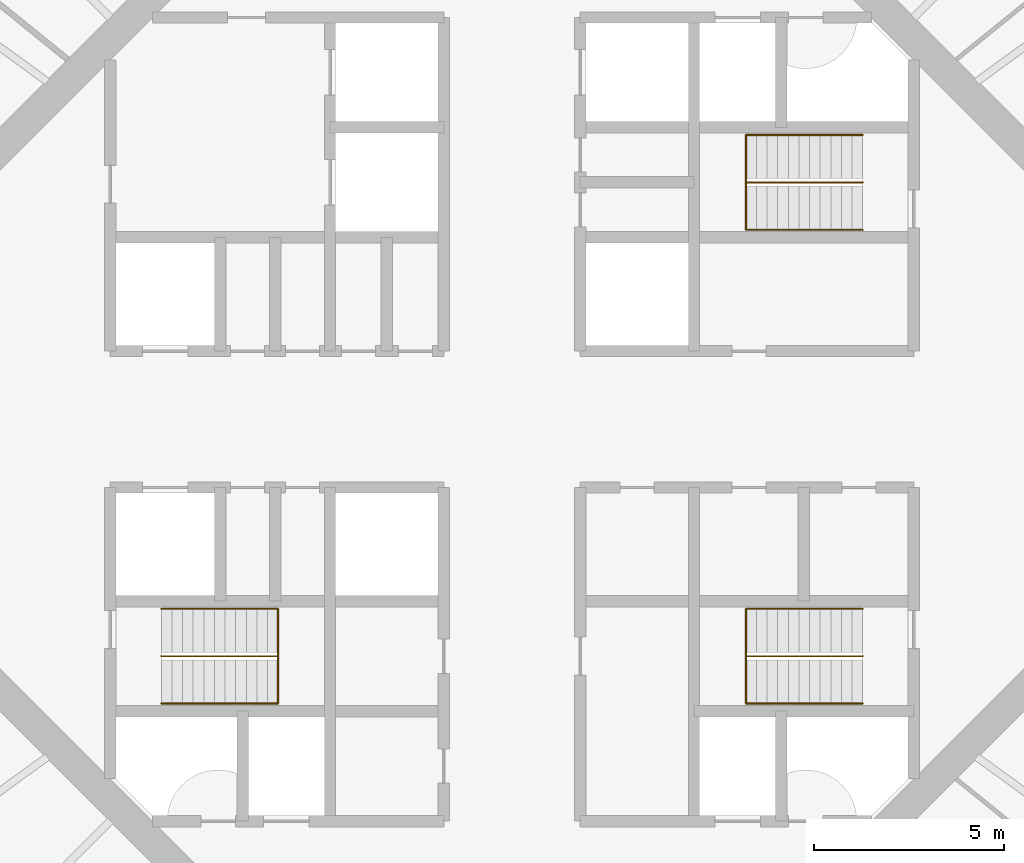
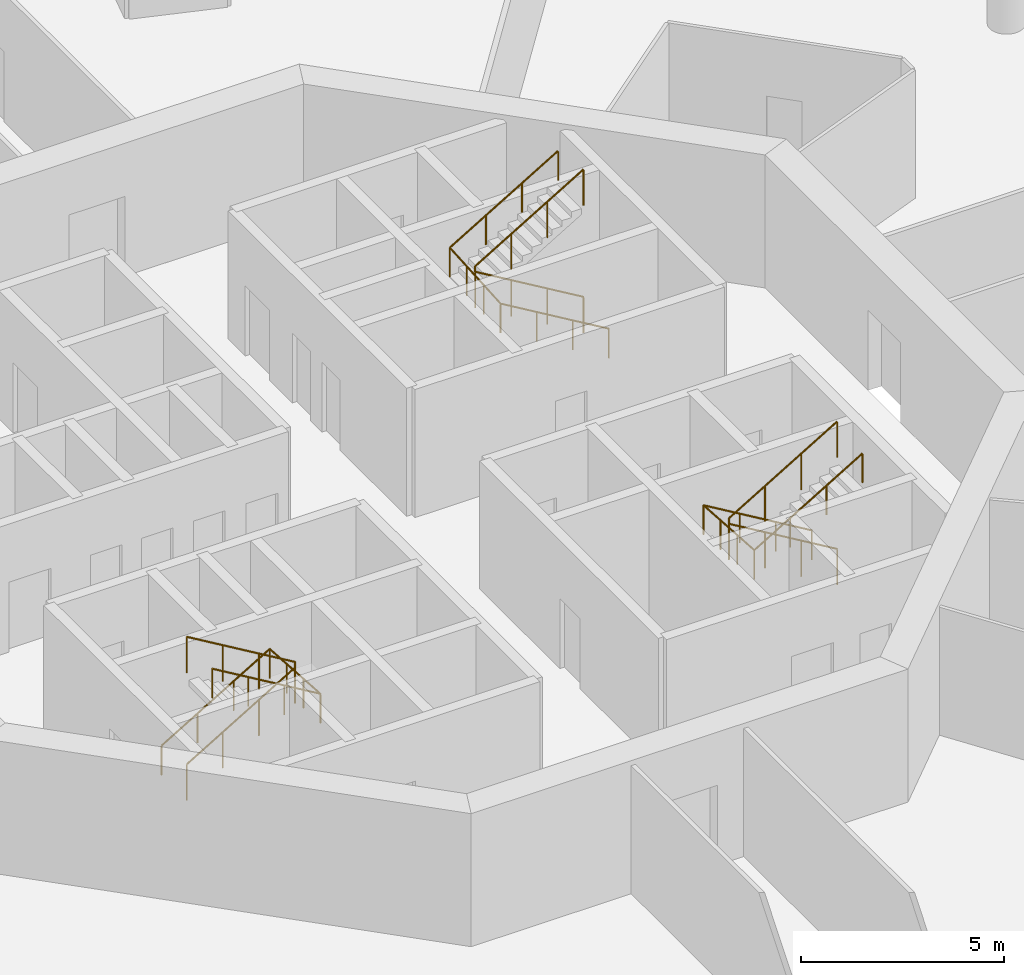
# One storey, part 13 of 13: 6 railings.
"""IFC4 building model written with IfcOpenShell, lengths in metres."""

from ifc_helpers import new_model, si_unit, direction, frame, origin, origin_2d, place, context, subcontext, project, spatial, circle, extrude, material, type_object, element, save


model = new_model("IFC4")

# Units and contexts
model_context = context("Model", 3, precision=1e-05, world=origin(), true_north=direction((0.0, 1.0)))
body_context = subcontext(model_context, "Body", "Model", "MODEL_VIEW")
ifc_project = project(units=[si_unit("LENGTHUNIT", "METRE"), si_unit("AREAUNIT", "SQUARE_METRE"), si_unit("VOLUMEUNIT", "CUBIC_METRE"), si_unit("PLANEANGLEUNIT", "RADIAN"), si_unit("MASSUNIT", "GRAM", prefix="KILO")], contexts=[model_context])

# Site, building, storey
site_placement = place(None, origin())
site = spatial("IfcSite", under=ifc_project, at=site_placement, CompositionType="ELEMENT")
building_placement = place(site_placement, origin())
building = spatial("IfcBuilding", under=site, at=building_placement, Name="Entoto Ring Tower", CompositionType="ELEMENT")
storey_placement = place(building_placement, frame((0.0, 0.0, 274.0)))
storey = spatial("IfcBuildingStorey", under=building, at=storey_placement, Name="L62", CompositionType="ELEMENT", Elevation=274.0)

# Railings
ifc_material_1 = material(Name="Steel S275", Category="steel")
railing_type_1 = type_object("IfcRailingType", Name="Stair guard 1100 mm steel", PredefinedType="GUARDRAIL", material=ifc_material_1)
railing_1_placement = place(storey_placement, frame((99.25, 86.25, 0.166748046875)))
element("IfcRailing", 1, at=railing_1_placement, inside=storey, type_object=railing_type_1, Name="Guard ST1", PredefinedType="GUARDRAIL", context=body_context, shape_type="SweptSolid", body=[
    extrude(circle(Radius=0.02392578125, at=origin_2d()), frame((0.0, 0.0, 1.076171875), z_axis=(-0.859308565015, 0.0, 0.511457515432), x_axis=(0.0, -1.0, 0.0)), (0.0, 0.0, 1.0), 3.58447265625),
    extrude(circle(Radius=0.02392578125, at=origin_2d()), frame((-3.080078125, 0.0, 2.9091796875), z_axis=(0.0, 0.0, 1.0), x_axis=(1.0, 0.0, 0.0)), (0.0, 0.0, 1.0), 0.166748046875),
    extrude(circle(Radius=0.02392578125, at=origin_2d()), frame((-3.080078125, 0.0, 3.076171875), z_axis=(0.859308565015, 0.0, 0.511457515432), x_axis=(0.0, 1.0, 0.0)), (0.0, 0.0, 1.0), 3.58447265625),
    extrude(circle(Radius=0.02099609375, at=origin_2d()), origin(), (0.0, 0.0, 1.0), 1.052001953125),
    extrude(circle(Radius=0.02099609375, at=origin_2d()), frame((-1.026611328125, 0.0, 0.611083984375)), (0.0, 0.0, 1.0), 1.052001953125),
    extrude(circle(Radius=0.02099609375, at=origin_2d()), frame((-2.053466796875, 0.0, 1.22216796875)), (0.0, 0.0, 1.0), 1.052001953125),
    extrude(circle(Radius=0.02099609375, at=origin_2d()), frame((-3.080078125, 0.0, 1.833251953125)), (0.0, 0.0, 1.0), 1.052001953125),
    extrude(circle(Radius=0.02099609375, at=origin_2d()), frame((-3.080078125, 0.0, 2.0)), (0.0, 0.0, 1.0), 1.052001953125),
    extrude(circle(Radius=0.02099609375, at=origin_2d()), frame((-2.053466796875, 0.0, 2.611083984375)), (0.0, 0.0, 1.0), 1.052001953125),
    extrude(circle(Radius=0.02099609375, at=origin_2d()), frame((-1.026611328125, 0.0, 3.22216796875)), (0.0, 0.0, 1.0), 1.052001953125),
    extrude(circle(Radius=0.02099609375, at=origin_2d()), frame((0.0, 0.0, 3.833251953125)), (0.0, 0.0, 1.0), 1.052001953125),
])
railing_2_placement = place(storey_placement, frame((80.75, 73.75, 0.166748046875)))
element("IfcRailing", 2, at=railing_2_placement, inside=storey, type_object=railing_type_1, Name="Guard ST2", PredefinedType="GUARDRAIL", context=body_context, shape_type="SweptSolid", body=[
    extrude(circle(Radius=0.02392578125, at=origin_2d()), frame((0.0, 0.0, 1.076171875), z_axis=(0.859308565015, 0.0, 0.511457515432), x_axis=(0.0, 1.0, 0.0)), (0.0, 0.0, 1.0), 3.58447265625),
    extrude(circle(Radius=0.02392578125, at=origin_2d()), frame((3.080078125, 0.0, 2.9091796875), z_axis=(0.0, 0.0, 1.0), x_axis=(1.0, 0.0, 0.0)), (0.0, 0.0, 1.0), 0.166748046875),
    extrude(circle(Radius=0.02392578125, at=origin_2d()), frame((3.080078125, 0.0, 3.076171875), z_axis=(-0.859308565015, 0.0, 0.511457515432), x_axis=(0.0, -1.0, 0.0)), (0.0, 0.0, 1.0), 3.58447265625),
    extrude(circle(Radius=0.02099609375, at=origin_2d()), origin(), (0.0, 0.0, 1.0), 1.052001953125),
    extrude(circle(Radius=0.02099609375, at=origin_2d()), frame((1.026611328125, 0.0, 0.611083984375)), (0.0, 0.0, 1.0), 1.052001953125),
    extrude(circle(Radius=0.02099609375, at=origin_2d()), frame((2.053466796875, 0.0, 1.22216796875)), (0.0, 0.0, 1.0), 1.052001953125),
    extrude(circle(Radius=0.02099609375, at=origin_2d()), frame((3.080078125, 0.0, 1.833251953125)), (0.0, 0.0, 1.0), 1.052001953125),
    extrude(circle(Radius=0.02099609375, at=origin_2d()), frame((3.080078125, 0.0, 2.0)), (0.0, 0.0, 1.0), 1.052001953125),
    extrude(circle(Radius=0.02099609375, at=origin_2d()), frame((2.053466796875, 0.0, 2.611083984375)), (0.0, 0.0, 1.0), 1.052001953125),
    extrude(circle(Radius=0.02099609375, at=origin_2d()), frame((1.026611328125, 0.0, 3.22216796875)), (0.0, 0.0, 1.0), 1.052001953125),
    extrude(circle(Radius=0.02099609375, at=origin_2d()), frame((0.0, 0.0, 3.833251953125)), (0.0, 0.0, 1.0), 1.052001953125),
])
railing_3_placement = place(storey_placement, frame((99.25, 73.75, 0.166748046875)))
element("IfcRailing", 3, at=railing_3_placement, inside=storey, type_object=railing_type_1, Name="Guard ST3", PredefinedType="GUARDRAIL", context=body_context, shape_type="SweptSolid", body=[
    extrude(circle(Radius=0.02392578125, at=origin_2d()), frame((0.0, 0.0, 1.076171875), z_axis=(-0.859308565015, 0.0, 0.511457515432), x_axis=(0.0, -1.0, 0.0)), (0.0, 0.0, 1.0), 3.58447265625),
    extrude(circle(Radius=0.02392578125, at=origin_2d()), frame((-3.080078125, 0.0, 2.9091796875), z_axis=(0.0, 0.0, 1.0), x_axis=(1.0, 0.0, 0.0)), (0.0, 0.0, 1.0), 0.166748046875),
    extrude(circle(Radius=0.02392578125, at=origin_2d()), frame((-3.080078125, 0.0, 3.076171875), z_axis=(0.859308565015, 0.0, 0.511457515432), x_axis=(0.0, 1.0, 0.0)), (0.0, 0.0, 1.0), 3.58447265625),
    extrude(circle(Radius=0.02099609375, at=origin_2d()), origin(), (0.0, 0.0, 1.0), 1.052001953125),
    extrude(circle(Radius=0.02099609375, at=origin_2d()), frame((-1.026611328125, 0.0, 0.611083984375)), (0.0, 0.0, 1.0), 1.052001953125),
    extrude(circle(Radius=0.02099609375, at=origin_2d()), frame((-2.053466796875, 0.0, 1.22216796875)), (0.0, 0.0, 1.0), 1.052001953125),
    extrude(circle(Radius=0.02099609375, at=origin_2d()), frame((-3.080078125, 0.0, 1.833251953125)), (0.0, 0.0, 1.0), 1.052001953125),
    extrude(circle(Radius=0.02099609375, at=origin_2d()), frame((-3.080078125, 0.0, 2.0)), (0.0, 0.0, 1.0), 1.052001953125),
    extrude(circle(Radius=0.02099609375, at=origin_2d()), frame((-2.053466796875, 0.0, 2.611083984375)), (0.0, 0.0, 1.0), 1.052001953125),
    extrude(circle(Radius=0.02099609375, at=origin_2d()), frame((-1.026611328125, 0.0, 3.22216796875)), (0.0, 0.0, 1.0), 1.052001953125),
    extrude(circle(Radius=0.02099609375, at=origin_2d()), frame((0.0, 0.0, 3.833251953125)), (0.0, 0.0, 1.0), 1.052001953125),
])
ifc_material_2 = material(Name="Steel S275", Category="steel")
railing_type_2 = type_object("IfcRailingType", Name="Stair handrail 900 mm steel", PredefinedType="HANDRAIL", material=ifc_material_2)
railing_4_placement = place(storey_placement, frame((99.25, 85.0, 0.166748046875)))
element("IfcRailing", 4, at=railing_4_placement, inside=storey, type_object=railing_type_2, Name="Handrail ST1", PredefinedType="HANDRAIL", context=body_context, shape_type="SweptSolid", body=[
    extrude(circle(Radius=0.02392578125, at=origin_2d()), frame((0.0, 0.0, 0.8759765625), z_axis=(-0.859308565015, 0.0, 0.511457515432), x_axis=(0.0, -1.0, 0.0)), (0.0, 0.0, 1.0), 3.58447265625),
    extrude(circle(Radius=0.02392578125, at=origin_2d()), frame((-3.080078125, 0.0, 2.708984375), z_axis=(0.0, 0.997783001586, 0.066551346688), x_axis=(-1.0, 0.0, 0.0)), (0.0, 0.0, 1.0), 2.505615234375),
    extrude(circle(Radius=0.02392578125, at=origin_2d()), frame((-3.080078125, 2.5, 2.8759765625), z_axis=(0.859308565015, 0.0, 0.511457515432), x_axis=(0.0, 1.0, 0.0)), (0.0, 0.0, 1.0), 3.58447265625),
    extrude(circle(Radius=0.02099609375, at=origin_2d()), origin(), (0.0, 0.0, 1.0), 0.851806640625),
    extrude(circle(Radius=0.02099609375, at=origin_2d()), frame((-1.026611328125, 0.0, 0.611083984375)), (0.0, 0.0, 1.0), 0.851806640625),
    extrude(circle(Radius=0.02099609375, at=origin_2d()), frame((-2.053466796875, 0.0, 1.22216796875)), (0.0, 0.0, 1.0), 0.851806640625),
    extrude(circle(Radius=0.02099609375, at=origin_2d()), frame((-3.080078125, 0.0, 1.833251953125)), (0.0, 0.0, 1.0), 0.851806640625),
    extrude(circle(Radius=0.02099609375, at=origin_2d()), frame((-3.080078125, 0.833251953125, 1.888916015625)), (0.0, 0.0, 1.0), 0.851806640625),
    extrude(circle(Radius=0.02099609375, at=origin_2d()), frame((-3.080078125, 1.666748046875, 1.9443359375)), (0.0, 0.0, 1.0), 0.851806640625),
    extrude(circle(Radius=0.02099609375, at=origin_2d()), frame((-3.080078125, 2.5, 2.0)), (0.0, 0.0, 1.0), 0.851806640625),
    extrude(circle(Radius=0.02099609375, at=origin_2d()), frame((-2.053466796875, 2.5, 2.611083984375)), (0.0, 0.0, 1.0), 0.851806640625),
    extrude(circle(Radius=0.02099609375, at=origin_2d()), frame((-1.026611328125, 2.5, 3.22216796875)), (0.0, 0.0, 1.0), 0.851806640625),
    extrude(circle(Radius=0.02099609375, at=origin_2d()), frame((0.0, 2.5, 3.833251953125)), (0.0, 0.0, 1.0), 0.851806640625),
])
railing_5_placement = place(storey_placement, frame((80.75, 75.0, 0.166748046875)))
element("IfcRailing", 5, at=railing_5_placement, inside=storey, type_object=railing_type_2, Name="Handrail ST2", PredefinedType="HANDRAIL", context=body_context, shape_type="SweptSolid", body=[
    extrude(circle(Radius=0.02392578125, at=origin_2d()), frame((0.0, 0.0, 0.8759765625), z_axis=(0.859308565015, 0.0, 0.511457515432), x_axis=(0.0, 1.0, 0.0)), (0.0, 0.0, 1.0), 3.58447265625),
    extrude(circle(Radius=0.02392578125, at=origin_2d()), frame((3.080078125, 0.0, 2.708984375), z_axis=(0.0, -0.997783001586, 0.066551346688), x_axis=(1.0, 0.0, 0.0)), (0.0, 0.0, 1.0), 2.505615234375),
    extrude(circle(Radius=0.02392578125, at=origin_2d()), frame((3.080078125, -2.5, 2.8759765625), z_axis=(-0.859308565015, 0.0, 0.511457515432), x_axis=(0.0, -1.0, 0.0)), (0.0, 0.0, 1.0), 3.58447265625),
    extrude(circle(Radius=0.02099609375, at=origin_2d()), origin(), (0.0, 0.0, 1.0), 0.851806640625),
    extrude(circle(Radius=0.02099609375, at=origin_2d()), frame((1.026611328125, 0.0, 0.611083984375)), (0.0, 0.0, 1.0), 0.851806640625),
    extrude(circle(Radius=0.02099609375, at=origin_2d()), frame((2.053466796875, 0.0, 1.22216796875)), (0.0, 0.0, 1.0), 0.851806640625),
    extrude(circle(Radius=0.02099609375, at=origin_2d()), frame((3.080078125, 0.0, 1.833251953125)), (0.0, 0.0, 1.0), 0.851806640625),
    extrude(circle(Radius=0.02099609375, at=origin_2d()), frame((3.080078125, -0.833251953125, 1.888916015625)), (0.0, 0.0, 1.0), 0.851806640625),
    extrude(circle(Radius=0.02099609375, at=origin_2d()), frame((3.080078125, -1.666748046875, 1.9443359375)), (0.0, 0.0, 1.0), 0.851806640625),
    extrude(circle(Radius=0.02099609375, at=origin_2d()), frame((3.080078125, -2.5, 2.0)), (0.0, 0.0, 1.0), 0.851806640625),
    extrude(circle(Radius=0.02099609375, at=origin_2d()), frame((2.053466796875, -2.5, 2.611083984375)), (0.0, 0.0, 1.0), 0.851806640625),
    extrude(circle(Radius=0.02099609375, at=origin_2d()), frame((1.026611328125, -2.5, 3.22216796875)), (0.0, 0.0, 1.0), 0.851806640625),
    extrude(circle(Radius=0.02099609375, at=origin_2d()), frame((0.0, -2.5, 3.833251953125)), (0.0, 0.0, 1.0), 0.851806640625),
])
railing_6_placement = place(storey_placement, frame((99.25, 75.0, 0.166748046875)))
element("IfcRailing", 6, at=railing_6_placement, inside=storey, type_object=railing_type_2, Name="Handrail ST3", PredefinedType="HANDRAIL", context=body_context, shape_type="SweptSolid", body=[
    extrude(circle(Radius=0.02392578125, at=origin_2d()), frame((0.0, 0.0, 0.8759765625), z_axis=(-0.859308565015, 0.0, 0.511457515432), x_axis=(0.0, -1.0, 0.0)), (0.0, 0.0, 1.0), 3.58447265625),
    extrude(circle(Radius=0.02392578125, at=origin_2d()), frame((-3.080078125, 0.0, 2.708984375), z_axis=(0.0, -0.997783001586, 0.066551346688), x_axis=(1.0, 0.0, 0.0)), (0.0, 0.0, 1.0), 2.505615234375),
    extrude(circle(Radius=0.02392578125, at=origin_2d()), frame((-3.080078125, -2.5, 2.8759765625), z_axis=(0.859308565015, 0.0, 0.511457515432), x_axis=(0.0, 1.0, 0.0)), (0.0, 0.0, 1.0), 3.58447265625),
    extrude(circle(Radius=0.02099609375, at=origin_2d()), origin(), (0.0, 0.0, 1.0), 0.851806640625),
    extrude(circle(Radius=0.02099609375, at=origin_2d()), frame((-1.026611328125, 0.0, 0.611083984375)), (0.0, 0.0, 1.0), 0.851806640625),
    extrude(circle(Radius=0.02099609375, at=origin_2d()), frame((-2.053466796875, 0.0, 1.22216796875)), (0.0, 0.0, 1.0), 0.851806640625),
    extrude(circle(Radius=0.02099609375, at=origin_2d()), frame((-3.080078125, 0.0, 1.833251953125)), (0.0, 0.0, 1.0), 0.851806640625),
    extrude(circle(Radius=0.02099609375, at=origin_2d()), frame((-3.080078125, -0.833251953125, 1.888916015625)), (0.0, 0.0, 1.0), 0.851806640625),
    extrude(circle(Radius=0.02099609375, at=origin_2d()), frame((-3.080078125, -1.666748046875, 1.9443359375)), (0.0, 0.0, 1.0), 0.851806640625),
    extrude(circle(Radius=0.02099609375, at=origin_2d()), frame((-3.080078125, -2.5, 2.0)), (0.0, 0.0, 1.0), 0.851806640625),
    extrude(circle(Radius=0.02099609375, at=origin_2d()), frame((-2.053466796875, -2.5, 2.611083984375)), (0.0, 0.0, 1.0), 0.851806640625),
    extrude(circle(Radius=0.02099609375, at=origin_2d()), frame((-1.026611328125, -2.5, 3.22216796875)), (0.0, 0.0, 1.0), 0.851806640625),
    extrude(circle(Radius=0.02099609375, at=origin_2d()), frame((0.0, -2.5, 3.833251953125)), (0.0, 0.0, 1.0), 0.851806640625),
])

save(model, "model.ifc")
